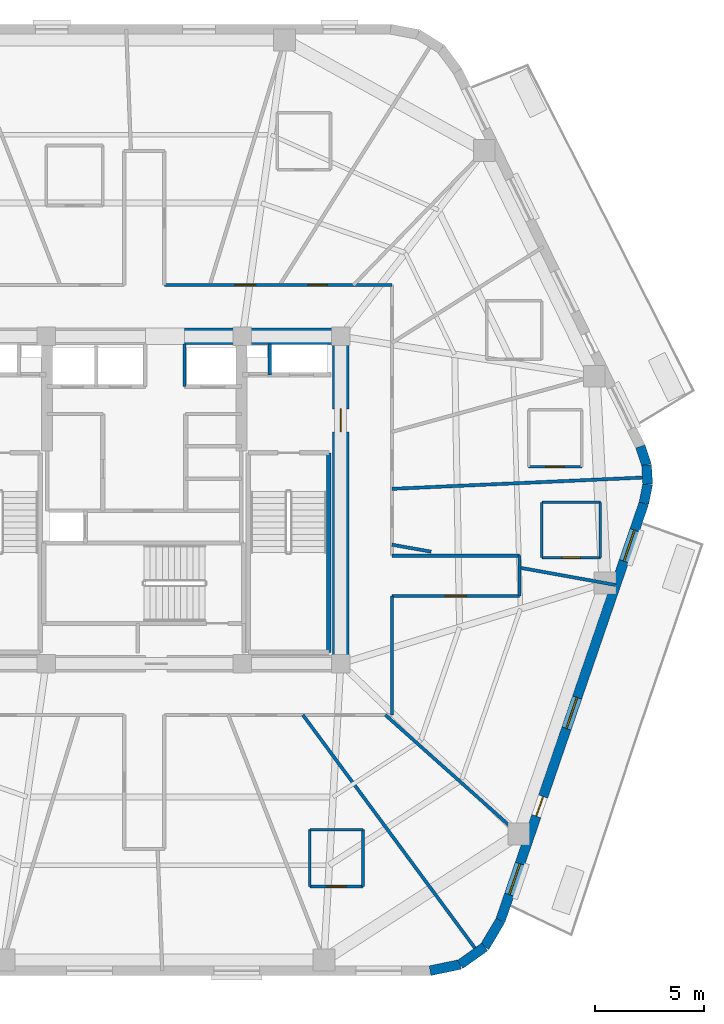
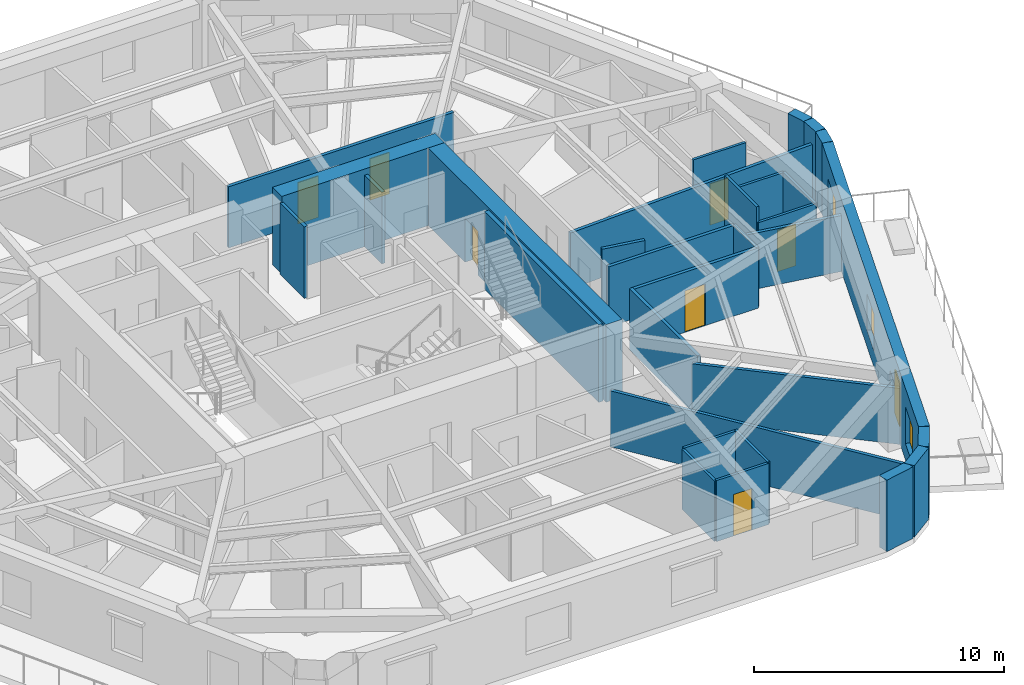
# One storey, part 5 of 10: 31 walls, 8 doors, 3 windows, 11 openings.
"""IFC4 building model written with IfcOpenShell, lengths in metres."""

from ifc_helpers import new_model, si_unit, direction, frame, frame_2d, origin, place, context, subcontext, project, spatial, rectangle, extrude, material, layer, layer_set, type_object, element, fill, save


model = new_model("IFC4")

# Units and contexts
model_context = context("Model", 3, precision=1e-05, world=origin(), true_north=direction((0.0, 1.0)))
body_context = subcontext(model_context, "Body", "Model", "MODEL_VIEW")
ifc_project = project(units=[si_unit("LENGTHUNIT", "METRE"), si_unit("AREAUNIT", "SQUARE_METRE"), si_unit("VOLUMEUNIT", "CUBIC_METRE"), si_unit("PLANEANGLEUNIT", "RADIAN"), si_unit("MASSUNIT", "GRAM", prefix="KILO")], contexts=[model_context])

# Site, building, storey
site_placement = place(None, origin())
site = spatial("IfcSite", under=ifc_project, at=site_placement, CompositionType="ELEMENT")
building_placement = place(site_placement, origin())
building = spatial("IfcBuilding", under=site, at=building_placement, Name="Kilnhurst Terrace Hotel", CompositionType="ELEMENT")
storey_placement = place(building_placement, frame((0.0, 0.0, 206.5)))
storey = spatial("IfcBuildingStorey", under=building, at=storey_placement, Name="L51", CompositionType="ELEMENT", Elevation=206.5)

# Walls
ifc_material_1 = material(Name="Precast concrete C40/50", Category="concrete")
ifc_layer_1 = layer(ifc_material_1, 0.449951171875, Name="Precast concrete C40/50")
ifc_layer_set_1 = layer_set([ifc_layer_1], Name="Precast concrete C40/50")
wall_type_1 = type_object("IfcWallType", Name="WL-BRK-450", PredefinedType="SOLIDWALL", material=ifc_layer_set_1)
wall_1_placement = place(storey_placement, frame((13.1015625, -21.574951171875, 0.0), z_axis=(0.0, 0.0, 1.0), x_axis=(0.978757421505, 0.205021730188, 0.0)))
element("IfcWall", 1, at=wall_1_placement, inside=storey, type_object=wall_type_1, Name="L51 Rounded Corner Brick Wall C2.1", PredefinedType="SOLIDWALL", context=body_context, shape_type="SweptSolid", body=[
    extrude(rectangle(XDim=1.40625, YDim=0.449951171875, at=frame_2d((0.703125, 0.0))), origin(), (0.0, 0.0, 1.0), 3.5),
])
wall_2_placement = place(storey_placement, frame((14.47802734375, -21.28662109375, 0.0), z_axis=(0.0, 0.0, 1.0), x_axis=(0.813888518617, 0.58102106611, 0.0)))
element("IfcWall", 2, at=wall_2_placement, inside=storey, type_object=wall_type_1, Name="L51 Rounded Corner Brick Wall C2.2", PredefinedType="SOLIDWALL", context=body_context, shape_type="SweptSolid", body=[
    extrude(rectangle(XDim=1.3828125, YDim=0.449951171875, at=frame_2d((0.69140625, 0.0))), origin(), (0.0, 0.0, 1.0), 3.5),
])
wall_3_placement = place(storey_placement, frame((15.603515625, -20.483154296875, 0.0), z_axis=(0.0, 0.0, 1.0), x_axis=(0.512222149036, 0.858852996756, 0.0)))
element("IfcWall", 3, at=wall_3_placement, inside=storey, type_object=wall_type_1, Name="L51 Rounded Corner Brick Wall C2.3", PredefinedType="SOLIDWALL", context=body_context, shape_type="SweptSolid", body=[
    extrude(rectangle(XDim=1.406494140625, YDim=0.449951171875, at=frame_2d((0.703125, 0.0))), origin(), (0.0, 0.0, 1.0), 3.5),
])
wall_4_placement = place(storey_placement, frame((22.8984375, -0.149658203125, 0.0), z_axis=(0.0, 0.0, 1.0), x_axis=(0.199055826889, 0.979988151858, 0.0)))
element("IfcWall", 4, at=wall_4_placement, inside=storey, type_object=wall_type_1, Name="L51 Rounded Corner Brick Wall C3.1", PredefinedType="SOLIDWALL", context=body_context, shape_type="SweptSolid", body=[
    extrude(rectangle(XDim=0.89404296875, YDim=0.449951171875, at=frame_2d((0.447021484375, 0.0))), origin(), (0.0, 0.0, 1.0), 3.5),
])
wall_5_placement = place(storey_placement, frame((23.076416015625, 0.7265625, 0.0), z_axis=(0.0, 0.0, 1.0), x_axis=(-0.060805222108, 0.998149650586, 0.0)))
element("IfcWall", 5, at=wall_5_placement, inside=storey, type_object=wall_type_1, Name="L51 Rounded Corner Brick Wall C3.2", PredefinedType="SOLIDWALL", context=body_context, shape_type="SweptSolid", body=[
    extrude(rectangle(XDim=0.87939453125, YDim=0.449951171875, at=frame_2d((0.439697265625, 0.0))), origin(), (0.0, 0.0, 1.0), 3.5),
])
wall_6_placement = place(storey_placement, frame((23.02294921875, 1.604248046875, 0.0), z_axis=(0.0, 0.0, 1.0), x_axis=(-0.316801227695, 0.948491951537, 0.0)))
element("IfcWall", 6, at=wall_6_placement, inside=storey, type_object=wall_type_1, Name="L51 Rounded Corner Brick Wall C3.3", PredefinedType="SOLIDWALL", context=body_context, shape_type="SweptSolid", body=[
    extrude(rectangle(XDim=0.89404296875, YDim=0.449951171875, at=frame_2d((0.447021484375, 0.0))), origin(), (0.0, 0.0, 1.0), 3.5),
])

# Wall, openings, door, windows
wall_7_placement = place(storey_placement, frame((16.323974609375, -19.275146484375, 0.0), z_axis=(0.0, 0.0, 1.0), x_axis=(0.325083142304, 0.945685439557, 0.0)))
wall_7 = element("IfcWall", 7, at=wall_7_placement, inside=storey, type_object=wall_type_1, Name="L51 Exterior Brick Facade Wall F2", PredefinedType="SOLIDWALL", context=body_context, shape_type="SweptSolid", body=[
    extrude(rectangle(XDim=20.223876953125, YDim=0.449951171875, at=frame_2d((10.11181640625, 0.0))), origin(), (0.0, 0.0, 1.0), 3.5),
])
opening_1_placement = place(wall_7_placement, frame((5.06201171875, 0.0, 0.0)))
opening_1 = element("IfcOpeningElement", 8, at=opening_1_placement, cuts=wall_7, Name="Opening BD-950", PredefinedType="OPENING", context=body_context, shape_type="SweptSolid", body=[
    extrude(rectangle(XDim=0.949951171875, YDim=2.14990234375, at=frame_2d((0.47509765625, 1.074951171875))), frame((0.0, 0.23486328125, 0.0), z_axis=(0.0, -1.0, 0.0), x_axis=(1.0, 0.0, 0.0)), (0.0, 0.0, 1.0), 0.469970703125),
])
opening_2_placement = place(wall_7_placement, frame((1.2529296875, 0.0, 0.800048828125)))
opening_2 = element("IfcOpeningElement", 9, at=opening_2_placement, cuts=wall_7, Name="Opening W-02", PredefinedType="OPENING", context=body_context, shape_type="SweptSolid", body=[
    extrude(rectangle(XDim=1.5, YDim=1.800048828125, at=frame_2d((0.75, 0.89990234375))), frame((0.0, 0.23486328125, 0.0), z_axis=(0.0, -1.0, 0.0), x_axis=(1.0, 0.0, 0.0)), (0.0, 0.0, 1.0), 0.469970703125),
])
opening_3_placement = place(wall_7_placement, frame((9.30908203125, 0.0, 0.800048828125)))
opening_3 = element("IfcOpeningElement", 10, at=opening_3_placement, cuts=wall_7, Name="Opening W-02", PredefinedType="OPENING", context=body_context, shape_type="SweptSolid", body=[
    extrude(rectangle(XDim=1.5, YDim=1.800048828125, at=frame_2d((0.75, 0.89990234375))), frame((0.0, 0.23486328125, 0.0), z_axis=(0.0, -1.0, 0.0), x_axis=(1.0, 0.0, 0.0)), (0.0, 0.0, 1.0), 0.469970703125),
])
opening_4_placement = place(wall_7_placement, frame((17.41796875, 0.0, 0.800048828125)))
opening_4 = element("IfcOpeningElement", 11, at=opening_4_placement, cuts=wall_7, Name="Opening W-02", PredefinedType="OPENING", context=body_context, shape_type="SweptSolid", body=[
    extrude(rectangle(XDim=1.5, YDim=1.800048828125, at=frame_2d((0.75, 0.89990234375))), frame((0.0, 0.23486328125, 0.0), z_axis=(0.0, -1.0, 0.0), x_axis=(1.0, 0.0, 0.0)), (0.0, 0.0, 1.0), 0.469970703125),
])
ifc_material_2 = material(Name="Thermally Broken Bronze Aluminium Alloy 6063-T6 and Laminated Glass", Category="aluminium")
door_type_1 = type_object("IfcDoorType", Name="DR-EXT-BAL-950", OperationType="NOTDEFINED", PredefinedType="DOOR", material=ifc_material_2)
door_1_placement = place(opening_1_placement, origin())
door_1 = element("IfcDoor", 12, at=door_1_placement, inside=storey, type_object=door_type_1, Name="L51 Planted Balcony Door BAL-L1A", OperationType="SINGLE_SWING_RIGHT", OverallHeight=2.14990234375, OverallWidth=0.949951171875, PredefinedType="DOOR", context=body_context, shape_type="SweptSolid", body=[
    extrude(rectangle(XDim=0.949951171875, YDim=2.14990234375, at=frame_2d((0.47509765625, 1.074951171875))), frame((0.0, 0.02490234375, 0.0), z_axis=(0.0, -1.0, 0.0), x_axis=(1.0, 0.0, 0.0)), (0.0, 0.0, 1.0), 0.050048828125),
])
fill(opening_1, door_1)
ifc_material_3 = material(Name="Thermally Broken Bronze Aluminium Alloy 6063-T6 and Low-E Glass", Category="aluminium")
window_type = type_object("IfcWindowType", Name="WIN-1500X1800", PartitioningType="SINGLE_PANEL", PredefinedType="WINDOW", material=ifc_material_3)
window_1_placement = place(opening_2_placement, origin())
window_1 = element("IfcWindow", 13, at=window_1_placement, inside=storey, type_object=window_type, Name="L51 Deep-Set Masonry Window F2.1", OverallHeight=1.800048828125, OverallWidth=1.5, PartitioningType="SINGLE_PANEL", PredefinedType="WINDOW", context=body_context, shape_type="SweptSolid", body=[
    extrude(rectangle(XDim=1.5, YDim=1.800048828125, at=frame_2d((0.75, 0.89990234375))), frame((0.0, 0.030029296875, 0.0), z_axis=(0.0, -1.0, 0.0), x_axis=(1.0, 0.0, 0.0)), (0.0, 0.0, 1.0), 0.06005859375),
])
fill(opening_2, window_1)
window_2_placement = place(opening_3_placement, origin())
window_2 = element("IfcWindow", 14, at=window_2_placement, inside=storey, type_object=window_type, Name="L51 Deep-Set Masonry Window F2.2", OverallHeight=1.800048828125, OverallWidth=1.5, PartitioningType="SINGLE_PANEL", PredefinedType="WINDOW", context=body_context, shape_type="SweptSolid", body=[
    extrude(rectangle(XDim=1.5, YDim=1.800048828125, at=frame_2d((0.75, 0.89990234375))), frame((0.0, 0.030029296875, 0.0), z_axis=(0.0, -1.0, 0.0), x_axis=(1.0, 0.0, 0.0)), (0.0, 0.0, 1.0), 0.06005859375),
])
fill(opening_3, window_2)
window_3_placement = place(opening_4_placement, origin())
window_3 = element("IfcWindow", 15, at=window_3_placement, inside=storey, type_object=window_type, Name="L51 Deep-Set Masonry Window F2.3", OverallHeight=1.800048828125, OverallWidth=1.5, PartitioningType="SINGLE_PANEL", PredefinedType="WINDOW", context=body_context, shape_type="SweptSolid", body=[
    extrude(rectangle(XDim=1.5, YDim=1.800048828125, at=frame_2d((0.75, 0.89990234375))), frame((0.0, 0.030029296875, 0.0), z_axis=(0.0, -1.0, 0.0), x_axis=(1.0, 0.0, 0.0)), (0.0, 0.0, 1.0), 0.06005859375),
])
fill(opening_4, window_3)

# Wall, openings, doors
ifc_material_4 = material(Name="Acoustic Double-Gypsum Corridor Partition Assembly")
ifc_layer_2 = layer(ifc_material_4, 0.14990234375, Name="Acoustic Double-Gypsum Corridor Partition Assembly")
ifc_layer_set_2 = layer_set([ifc_layer_2], Name="Acoustic Double-Gypsum Corridor Partition Assembly")
wall_type_2 = type_object("IfcWallType", Name="WL-COR-150", PredefinedType="PARTITIONING", material=ifc_layer_set_2)
wall_8_placement = place(storey_placement, frame((0.919921875, 9.85009765625, 0.0), z_axis=(0.0, 0.0, 1.0), x_axis=(1.0, 0.0, 0.0)))
wall_8 = element("IfcWall", 16, at=wall_8_placement, inside=storey, type_object=wall_type_2, Name="L51 Interior Wall WL-L51-COR-10", PredefinedType="PARTITIONING", context=body_context, shape_type="SweptSolid", body=[
    extrude(rectangle(XDim=10.43017578125, YDim=0.14990234375, at=frame_2d((5.215087890625, 0.0))), origin(), (0.0, 0.0, 1.0), 2.989990234375),
])
opening_5_placement = place(wall_8_placement, frame((6.576904296875, 0.0, 0.0)))
opening_5 = element("IfcOpeningElement", 17, at=opening_5_placement, cuts=wall_8, Name="Opening D-60C", PredefinedType="OPENING", context=body_context, shape_type="SweptSolid", body=[
    extrude(rectangle(XDim=0.89990234375, YDim=2.030029296875, at=frame_2d((0.449951171875, 1.01513671875))), frame((0.0, 0.0849609375, 0.0), z_axis=(0.0, -1.0, 0.0), x_axis=(1.0, 0.0, 0.0)), (0.0, 0.0, 1.0), 0.169921875),
])
opening_6_placement = place(wall_8_placement, frame((3.23388671875, 0.0, 0.0)))
opening_6 = element("IfcOpeningElement", 18, at=opening_6_placement, cuts=wall_8, Name="Opening D-60B", PredefinedType="OPENING", context=body_context, shape_type="SweptSolid", body=[
    extrude(rectangle(XDim=0.949951171875, YDim=2.030029296875, at=frame_2d((0.47509765625, 1.01513671875))), frame((0.0, 0.0849609375, 0.0), z_axis=(0.0, -1.0, 0.0), x_axis=(1.0, 0.0, 0.0)), (0.0, 0.0, 1.0), 0.169921875),
])
ifc_material_5 = material(Name="Painted Solid-Core Service Fire Door")
door_type_2 = type_object("IfcDoorType", Name="DR-FD60-900", OperationType="NOTDEFINED", PredefinedType="DOOR", material=ifc_material_5)
door_2_placement = place(opening_5_placement, origin())
door_2 = element("IfcDoor", 19, at=door_2_placement, inside=storey, type_object=door_type_2, Name="L51 Executive Work Office Door 4", OperationType="SINGLE_SWING_RIGHT", OverallHeight=2.030029296875, OverallWidth=0.89990234375, PredefinedType="DOOR", context=body_context, shape_type="SweptSolid", body=[
    extrude(rectangle(XDim=0.89990234375, YDim=2.030029296875, at=frame_2d((0.449951171875, 1.01513671875))), frame((0.0, 0.02490234375, 0.0), z_axis=(0.0, -1.0, 0.0), x_axis=(1.0, 0.0, 0.0)), (0.0, 0.0, 1.0), 0.050048828125),
])
fill(opening_5, door_2)
ifc_material_6 = material(Name="Acoustic Walnut Veneer Solid-Core Fire Door")
door_type_3 = type_object("IfcDoorType", Name="DR-FD60-950", OperationType="NOTDEFINED", PredefinedType="DOOR", material=ifc_material_6)
door_3_placement = place(opening_6_placement, origin())
door_3 = element("IfcDoor", 20, at=door_3_placement, inside=storey, type_object=door_type_3, Name="L51 Guest Room Entry Door 5", OperationType="SINGLE_SWING_LEFT", OverallHeight=2.030029296875, OverallWidth=0.949951171875, PredefinedType="DOOR", context=body_context, shape_type="SweptSolid", body=[
    extrude(rectangle(XDim=0.949951171875, YDim=2.030029296875, at=frame_2d((0.47509765625, 1.01513671875))), frame((0.0, 0.02490234375, 0.0), z_axis=(0.0, -1.0, 0.0), x_axis=(1.0, 0.0, 0.0)), (0.0, 0.0, 1.0), 0.050048828125),
])
fill(opening_6, door_3)

# Walls
wall_9_placement = place(storey_placement, frame((11.35009765625, -2.550048828125, 0.0), z_axis=(0.0, 0.0, 1.0), x_axis=(1.0, 0.0, 0.0)))
element("IfcWall", 21, at=wall_9_placement, inside=storey, type_object=wall_type_2, Name="L51 Interior Wall WL-L51-COR-12", PredefinedType="PARTITIONING", context=body_context, shape_type="SweptSolid", body=[
    extrude(rectangle(XDim=5.849853515625, YDim=0.14990234375, at=frame_2d((2.9248046875, 0.0))), origin(), (0.0, 0.0, 1.0), 2.9404296875),
])
wall_10_placement = place(storey_placement, frame((17.199951171875, -2.550048828125, 0.0), z_axis=(0.0, 0.0, 1.0), x_axis=(0.0, -1.0, 0.0)))
element("IfcWall", 22, at=wall_10_placement, inside=storey, type_object=wall_type_2, Name="L51 Interior Wall WL-L51-COR-13", PredefinedType="PARTITIONING", context=body_context, shape_type="SweptSolid", body=[
    extrude(rectangle(XDim=1.849853515625, YDim=0.14990234375, at=frame_2d((0.9248046875, 0.0))), origin(), (0.0, 0.0, 1.0), 2.9404296875),
])

# Wall, opening, door
wall_11_placement = place(storey_placement, frame((17.199951171875, -4.39990234375, 0.0), z_axis=(0.0, 0.0, 1.0), x_axis=(-1.0, 0.0, 0.0)))
wall_11 = element("IfcWall", 23, at=wall_11_placement, inside=storey, type_object=wall_type_2, Name="L51 Interior Wall WL-L51-COR-14", PredefinedType="PARTITIONING", context=body_context, shape_type="SweptSolid", body=[
    extrude(rectangle(XDim=5.849853515625, YDim=0.14990234375, at=frame_2d((2.9248046875, 0.0))), origin(), (0.0, 0.0, 1.0), 2.9404296875),
])
opening_7_placement = place(wall_11_placement, frame((2.449951171875, 0.0, 0.0)))
opening_7 = element("IfcOpeningElement", 24, at=opening_7_placement, cuts=wall_11, Name="Opening D-60B", PredefinedType="OPENING", context=body_context, shape_type="SweptSolid", body=[
    extrude(rectangle(XDim=0.949951171875, YDim=2.030029296875, at=frame_2d((0.47509765625, 1.01513671875))), frame((0.0, 0.0849609375, 0.0), z_axis=(0.0, -1.0, 0.0), x_axis=(1.0, 0.0, 0.0)), (0.0, 0.0, 1.0), 0.169921875),
])
door_4_placement = place(opening_7_placement, origin())
door_4 = element("IfcDoor", 25, at=door_4_placement, inside=storey, type_object=door_type_3, Name="L51 Private Dining Salon Door", OperationType="SINGLE_SWING_LEFT", OverallHeight=2.030029296875, OverallWidth=0.949951171875, PredefinedType="DOOR", context=body_context, shape_type="SweptSolid", body=[
    extrude(rectangle(XDim=0.949951171875, YDim=2.030029296875, at=frame_2d((0.47509765625, 1.01513671875))), frame((0.0, 0.02490234375, 0.0), z_axis=(0.0, -1.0, 0.0), x_axis=(1.0, 0.0, 0.0)), (0.0, 0.0, 1.0), 0.050048828125),
])
fill(opening_7, door_4)

# Walls
wall_12_placement = place(storey_placement, frame((11.35009765625, -4.39990234375, 0.0), z_axis=(0.0, 0.0, 1.0), x_axis=(0.0, -1.0, 0.0)))
element("IfcWall", 26, at=wall_12_placement, inside=storey, type_object=wall_type_2, Name="L51 Interior Wall WL-L51-COR-15", PredefinedType="PARTITIONING", context=body_context, shape_type="SweptSolid", body=[
    extrude(rectangle(XDim=5.4501953125, YDim=0.14990234375, at=frame_2d((2.72509765625, 0.0))), origin(), (0.0, 0.0, 1.0), 2.989990234375),
])
ifc_material_7 = material(Name="Concrete C60/75", Category="concrete")
ifc_layer_3 = layer(ifc_material_7, 0.75, Name="Concrete C60/75")
ifc_layer_set_3 = layer_set([ifc_layer_3], Name="Concrete C60/75")
wall_type_3 = type_object("IfcWallType", Name="WL-CORE-750", PredefinedType="SHEAR", material=ifc_layer_set_3)
wall_13_placement = place(storey_placement, frame((1.85009765625, 7.5, 0.0), z_axis=(0.0, 0.0, 1.0), x_axis=(1.0, 0.0, 0.0)))
element("IfcWall", 27, at=wall_13_placement, inside=storey, type_object=wall_type_3, Name="L51 Core North East Shear Wall", PredefinedType="SHEAR", context=body_context, shape_type="SweptSolid", body=[
    extrude(rectangle(XDim=7.52490234375, YDim=0.75, at=frame_2d((3.762451171875, 0.0))), origin(), (0.0, 0.0, 1.0), 3.800048828125),
])

# Wall, opening, door
wall_14_placement = place(storey_placement, frame((9.0, -7.125, 0.0), z_axis=(0.0, 0.0, 1.0), x_axis=(0.0, 1.0, 0.0)))
wall_14 = element("IfcWall", 28, at=wall_14_placement, inside=storey, type_object=wall_type_3, Name="L51 Core East Shear Wall", PredefinedType="SHEAR", context=body_context, shape_type="SweptSolid", body=[
    extrude(rectangle(XDim=14.25, YDim=0.75, at=frame_2d((7.125, 0.0))), origin(), (0.0, 0.0, 1.0), 3.800048828125),
])
opening_8_placement = place(wall_14_placement, frame((10.25, 0.0, 0.0)))
opening_8 = element("IfcOpeningElement", 29, at=opening_8_placement, cuts=wall_14, Name="Opening D-90A", PredefinedType="OPENING", context=body_context, shape_type="SweptSolid", body=[
    extrude(rectangle(XDim=1.050048828125, YDim=2.14990234375, at=frame_2d((0.52490234375, 1.074951171875))), frame((0.0, 0.385009765625, 0.0), z_axis=(0.0, -1.0, 0.0), x_axis=(1.0, 0.0, 0.0)), (0.0, 0.0, 1.0), 0.77001953125),
])
ifc_material_8 = material(Name="Painted Hollow Metal Steel ASTM A36 Fire Door", Category="steel")
door_type_4 = type_object("IfcDoorType", Name="DR-FD90-1050", OperationType="NOTDEFINED", PredefinedType="DOOR", material=ifc_material_8)
door_5_placement = place(opening_8_placement, origin())
door_5 = element("IfcDoor", 30, at=door_5_placement, inside=storey, type_object=door_type_4, Name="L51 East Firefighting Lobby Door", OperationType="SINGLE_SWING_LEFT", OverallHeight=2.14990234375, OverallWidth=1.050048828125, PredefinedType="DOOR", context=body_context, shape_type="SweptSolid", body=[
    extrude(rectangle(XDim=1.050048828125, YDim=2.14990234375, at=frame_2d((0.52490234375, 1.074951171875))), frame((0.0, 0.02490234375, 0.0), z_axis=(0.0, -1.0, 0.0), x_axis=(1.0, 0.0, 0.0)), (0.0, 0.0, 1.0), 0.050048828125),
])
fill(opening_8, door_5)

# Walls
ifc_material_9 = material(Name="STC-58 Acoustic Twin-Frame Guestroom Demising Partition")
ifc_layer_4 = layer(ifc_material_9, 0.14990234375, Name="STC-58 Acoustic Twin-Frame Guestroom Demising Partition")
ifc_layer_set_4 = layer_set([ifc_layer_4], Name="STC-58 Acoustic Twin-Frame Guestroom Demising Partition")
wall_type_4 = type_object("IfcWallType", Name="WL-DEM-150", PredefinedType="PARTITIONING", material=ifc_layer_set_4)
wall_15_placement = place(storey_placement, frame((11.35009765625, 0.510986328125, 0.0), z_axis=(0.0, 0.0, 1.0), x_axis=(0.998988518139, 0.044965994104, 0.0)))
element("IfcWall", 31, at=wall_15_placement, inside=storey, type_object=wall_type_4, Name="L51 Interior Wall WL-L51-DEM-MID12-01-1", PredefinedType="PARTITIONING", context=body_context, shape_type="SweptSolid", body=[
    extrude(rectangle(XDim=11.559326171875, YDim=0.14990234375, at=frame_2d((5.77978515625, 0.0))), origin(), (0.0, 0.0, 1.0), 2.739990234375),
])
wall_16_placement = place(storey_placement, frame((7.269287109375, -9.85009765625, 0.0), z_axis=(0.0, 0.0, 1.0), x_axis=(0.593814492791, -0.8046019812, 0.0)))
element("IfcWall", 32, at=wall_16_placement, inside=storey, type_object=wall_type_4, Name="L51 Interior Wall WL-L51-DEM-MID10-18-1", PredefinedType="PARTITIONING", context=body_context, shape_type="SweptSolid", body=[
    extrude(rectangle(XDim=13.338134765625, YDim=0.14990234375, at=frame_2d((6.6689453125, 0.0))), origin(), (0.0, 0.0, 1.0), 2.739990234375),
])
wall_17_placement = place(storey_placement, frame((11.04833984375, -9.85009765625, 0.0), z_axis=(0.0, 0.0, 1.0), x_axis=(0.746444434655, -0.665447748492, 0.0)))
element("IfcWall", 33, at=wall_17_placement, inside=storey, type_object=wall_type_4, Name="L51 Interior Wall WL-L51-DEM-COL11-19-1", PredefinedType="PARTITIONING", context=body_context, shape_type="SweptSolid", body=[
    extrude(rectangle(XDim=8.732177734375, YDim=0.14990234375, at=frame_2d((4.3662109375, 0.0))), origin(), (0.0, 0.0, 1.0), 2.739990234375),
])
wall_18_placement = place(storey_placement, frame((11.35009765625, -2.046142578125, 0.0), z_axis=(0.0, 0.0, 1.0), x_axis=(0.984127783205, -0.177461281195, 0.0)))
element("IfcWall", 34, at=wall_18_placement, inside=storey, type_object=wall_type_4, Name="L51 Interior Wall WL-L51-DEM-COL12-20-1", PredefinedType="PARTITIONING", context=body_context, shape_type="SweptSolid", body=[
    extrude(rectangle(XDim=1.82568359375, YDim=0.14990234375, at=frame_2d((0.912841796875, 0.0))), origin(), (0.0, 0.0, 1.0), 3.5),
])
wall_19_placement = place(storey_placement, frame((17.199951171875, -3.1005859375, 0.0), z_axis=(0.0, 0.0, 1.0), x_axis=(0.98413465883, -0.177423147559, 0.0)))
element("IfcWall", 35, at=wall_19_placement, inside=storey, type_object=wall_type_4, Name="L51 Interior Wall WL-L51-DEM-COL12-20-2", PredefinedType="PARTITIONING", context=body_context, shape_type="SweptSolid", body=[
    extrude(rectangle(XDim=4.481689453125, YDim=0.14990234375, at=frame_2d((2.24072265625, 0.0))), origin(), (0.0, 0.0, 1.0), 2.739990234375),
])

# Wall, opening, door
ifc_material_10 = material(Name="120 mm Moisture-Resistant Tile-Backed Bathroom Partition")
ifc_layer_5 = layer(ifc_material_10, 0.1201171875, Name="120 mm Moisture-Resistant Tile-Backed Bathroom Partition")
ifc_layer_set_5 = layer_set([ifc_layer_5], Name="120 mm Moisture-Resistant Tile-Backed Bathroom Partition")
wall_type_5 = type_object("IfcWallType", Name="WL-PART-120", PredefinedType="PARTITIONING", material=ifc_layer_set_5)
wall_20_placement = place(storey_placement, frame((17.615966796875, 1.52001953125, 0.0), z_axis=(0.0, 0.0, 1.0), x_axis=(1.0, 0.0, 0.0)))
wall_20 = element("IfcWall", 36, at=wall_20_placement, inside=storey, type_object=wall_type_5, Name="L51 Interior Wall WL-L51-BTH-01-1", PredefinedType="PARTITIONING", context=body_context, shape_type="SweptSolid", body=[
    extrude(rectangle(XDim=2.43994140625, YDim=0.1201171875, at=frame_2d((1.219970703125, 0.0))), origin(), (0.0, 0.0, 1.0), 3.5),
])
opening_9_placement = place(wall_20_placement, frame((0.794921875, 0.0, 0.0)))
opening_9 = element("IfcOpeningElement", 37, at=opening_9_placement, cuts=wall_20, Name="Opening D-08A", PredefinedType="OPENING", context=body_context, shape_type="SweptSolid", body=[
    extrude(rectangle(XDim=0.85009765625, YDim=2.030029296875, at=frame_2d((0.425048828125, 1.01513671875))), frame((0.0, 0.070068359375, 0.0), z_axis=(0.0, -1.0, 0.0), x_axis=(1.0, 0.0, 0.0)), (0.0, 0.0, 1.0), 0.14013671875),
])
ifc_material_11 = material(Name="Moisture-Resistant Lacquered En-suite Bathroom Door")
door_type_5 = type_object("IfcDoorType", Name="DR-INT-850", OperationType="NOTDEFINED", PredefinedType="DOOR", material=ifc_material_11)
door_6_placement = place(opening_9_placement, origin())
door_6 = element("IfcDoor", 38, at=door_6_placement, inside=storey, type_object=door_type_5, Name="L51 En-suite Bathroom Door 1", OperationType="SINGLE_SWING_RIGHT", OverallHeight=2.030029296875, OverallWidth=0.85009765625, PredefinedType="DOOR", context=body_context, shape_type="SweptSolid", body=[
    extrude(rectangle(XDim=0.85009765625, YDim=2.030029296875, at=frame_2d((0.425048828125, 1.01513671875))), frame((0.0, 0.02490234375, 0.0), z_axis=(0.0, -1.0, 0.0), x_axis=(1.0, 0.0, 0.0)), (0.0, 0.0, 1.0), 0.050048828125),
])
fill(opening_9, door_6)

wall_21_placement = place(storey_placement, frame((7.5859375, -17.715087890625, 0.0), z_axis=(0.0, 0.0, 1.0), x_axis=(1.0, 0.0, 0.0)))
wall_21 = element("IfcWall", 39, at=wall_21_placement, inside=storey, type_object=wall_type_5, Name="L51 Interior Wall WL-L51-BTH-17-1", PredefinedType="PARTITIONING", context=body_context, shape_type="SweptSolid", body=[
    extrude(rectangle(XDim=2.43994140625, YDim=0.1201171875, at=frame_2d((1.219970703125, 0.0))), origin(), (0.0, 0.0, 1.0), 2.989990234375),
])
opening_10_placement = place(wall_21_placement, frame((0.794921875, 0.0, 0.0)))
opening_10 = element("IfcOpeningElement", 40, at=opening_10_placement, cuts=wall_21, Name="Opening D-08A", PredefinedType="OPENING", context=body_context, shape_type="SweptSolid", body=[
    extrude(rectangle(XDim=0.85009765625, YDim=2.030029296875, at=frame_2d((0.425048828125, 1.01513671875))), frame((0.0, 0.070068359375, 0.0), z_axis=(0.0, -1.0, 0.0), x_axis=(1.0, 0.0, 0.0)), (0.0, 0.0, 1.0), 0.14013671875),
])
door_7_placement = place(opening_10_placement, origin())
door_7 = element("IfcDoor", 41, at=door_7_placement, inside=storey, type_object=door_type_5, Name="L51 En-suite Bathroom Door 17", OperationType="SINGLE_SWING_RIGHT", OverallHeight=2.030029296875, OverallWidth=0.85009765625, PredefinedType="DOOR", context=body_context, shape_type="SweptSolid", body=[
    extrude(rectangle(XDim=0.85009765625, YDim=2.030029296875, at=frame_2d((0.425048828125, 1.01513671875))), frame((0.0, 0.02490234375, 0.0), z_axis=(0.0, -1.0, 0.0), x_axis=(1.0, 0.0, 0.0)), (0.0, 0.0, 1.0), 0.050048828125),
])
fill(opening_10, door_7)

# Walls
wall_22_placement = place(storey_placement, frame((10.02587890625, -17.715087890625, 0.0), z_axis=(0.0, 0.0, 1.0), x_axis=(0.0, 1.0, 0.0)))
element("IfcWall", 42, at=wall_22_placement, inside=storey, type_object=wall_type_5, Name="L51 Interior Wall WL-L51-BTH-17-2", PredefinedType="PARTITIONING", context=body_context, shape_type="SweptSolid", body=[
    extrude(rectangle(XDim=2.610107421875, YDim=0.1201171875, at=frame_2d((1.30517578125, 0.0))), origin(), (0.0, 0.0, 1.0), 3.026611328125),
])
wall_23_placement = place(storey_placement, frame((10.02587890625, -15.10498046875, 0.0), z_axis=(0.0, 0.0, 1.0), x_axis=(-1.0, 0.0, 0.0)))
element("IfcWall", 43, at=wall_23_placement, inside=storey, type_object=wall_type_5, Name="L51 Interior Wall WL-L51-BTH-17-3", PredefinedType="PARTITIONING", context=body_context, shape_type="SweptSolid", body=[
    extrude(rectangle(XDim=2.43994140625, YDim=0.1201171875, at=frame_2d((1.219970703125, 0.0))), origin(), (0.0, 0.0, 1.0), 2.989990234375),
])
wall_24_placement = place(storey_placement, frame((7.5859375, -15.10498046875, 0.0), z_axis=(0.0, 0.0, 1.0), x_axis=(0.0, -1.0, 0.0)))
element("IfcWall", 44, at=wall_24_placement, inside=storey, type_object=wall_type_5, Name="L51 Interior Wall WL-L51-BTH-17-4", PredefinedType="PARTITIONING", context=body_context, shape_type="SweptSolid", body=[
    extrude(rectangle(XDim=2.610107421875, YDim=0.1201171875, at=frame_2d((1.30517578125, 0.0))), origin(), (0.0, 0.0, 1.0), 2.9404296875),
])

# Wall, opening, door
wall_25_placement = place(storey_placement, frame((18.220947265625, -2.64599609375, 0.0), z_axis=(0.0, 0.0, 1.0), x_axis=(1.0, 0.0, 0.0)))
wall_25 = element("IfcWall", 45, at=wall_25_placement, inside=storey, type_object=wall_type_5, Name="L51 Interior Wall WL-L51-BTH-20-1", PredefinedType="PARTITIONING", context=body_context, shape_type="SweptSolid", body=[
    extrude(rectangle(XDim=2.679931640625, YDim=0.1201171875, at=frame_2d((1.33984375, 0.0))), origin(), (0.0, 0.0, 1.0), 2.739990234375),
])
opening_11_placement = place(wall_25_placement, frame((0.9150390625, 0.0, 0.0)))
opening_11 = element("IfcOpeningElement", 46, at=opening_11_placement, cuts=wall_25, Name="Opening D-08A", PredefinedType="OPENING", context=body_context, shape_type="SweptSolid", body=[
    extrude(rectangle(XDim=0.85009765625, YDim=2.030029296875, at=frame_2d((0.425048828125, 1.01513671875))), frame((0.0, 0.070068359375, 0.0), z_axis=(0.0, -1.0, 0.0), x_axis=(1.0, 0.0, 0.0)), (0.0, 0.0, 1.0), 0.14013671875),
])
door_8_placement = place(opening_11_placement, origin())
door_8 = element("IfcDoor", 47, at=door_8_placement, inside=storey, type_object=door_type_5, Name="L51 En-suite Bathroom Door 20", OperationType="SINGLE_SWING_LEFT", OverallHeight=2.030029296875, OverallWidth=0.85009765625, PredefinedType="DOOR", context=body_context, shape_type="SweptSolid", body=[
    extrude(rectangle(XDim=0.85009765625, YDim=2.030029296875, at=frame_2d((0.425048828125, 1.01513671875))), frame((0.0, 0.02490234375, 0.0), z_axis=(0.0, -1.0, 0.0), x_axis=(1.0, 0.0, 0.0)), (0.0, 0.0, 1.0), 0.050048828125),
])
fill(opening_11, door_8)

# Walls
wall_26_placement = place(storey_placement, frame((20.90087890625, -2.64599609375, 0.0), z_axis=(0.0, 0.0, 1.0), x_axis=(0.0, 1.0, 0.0)))
element("IfcWall", 48, at=wall_26_placement, inside=storey, type_object=wall_type_5, Name="L51 Interior Wall WL-L51-BTH-20-2", PredefinedType="PARTITIONING", context=body_context, shape_type="SweptSolid", body=[
    extrude(rectangle(XDim=2.5400390625, YDim=0.1201171875, at=frame_2d((1.27001953125, 0.0))), origin(), (0.0, 0.0, 1.0), 2.739990234375),
])
wall_27_placement = place(storey_placement, frame((20.90087890625, -0.10595703125, 0.0), z_axis=(0.0, 0.0, 1.0), x_axis=(-1.0, 0.0, 0.0)))
element("IfcWall", 49, at=wall_27_placement, inside=storey, type_object=wall_type_5, Name="L51 Interior Wall WL-L51-BTH-20-3", PredefinedType="PARTITIONING", context=body_context, shape_type="SweptSolid", body=[
    extrude(rectangle(XDim=2.679931640625, YDim=0.1201171875, at=frame_2d((1.33984375, 0.0))), origin(), (0.0, 0.0, 1.0), 2.739990234375),
])
wall_28_placement = place(storey_placement, frame((18.220947265625, -0.10595703125, 0.0), z_axis=(0.0, 0.0, 1.0), x_axis=(0.0, -1.0, 0.0)))
element("IfcWall", 50, at=wall_28_placement, inside=storey, type_object=wall_type_5, Name="L51 Interior Wall WL-L51-BTH-20-4", PredefinedType="PARTITIONING", context=body_context, shape_type="SweptSolid", body=[
    extrude(rectangle(XDim=2.5400390625, YDim=0.1201171875, at=frame_2d((1.27001953125, 0.0))), origin(), (0.0, 0.0, 1.0), 3.5),
])
ifc_material_12 = material(Name="Fire-Rated Gypsum Shaftliner Assembly")
ifc_layer_6 = layer(ifc_material_12, 0.14990234375, Name="Fire-Rated Gypsum Shaftliner Assembly")
ifc_layer_set_6 = layer_set([ifc_layer_6], Name="Fire-Rated Gypsum Shaftliner Assembly")
wall_type_6 = type_object("IfcWallType", Name="WL-SHAFT-150", PredefinedType="PARTITIONING", material=ifc_layer_set_6)
wall_29_placement = place(storey_placement, frame((5.75, 5.739990234375, 0.0), z_axis=(0.0, 0.0, 1.0), x_axis=(0.0, 1.0, 0.0)))
element("IfcWall", 51, at=wall_29_placement, inside=storey, type_object=wall_type_6, Name="L51 Interior Wall WL-L51-RIS2-DIV", PredefinedType="PARTITIONING", context=body_context, shape_type="SweptSolid", body=[
    extrude(rectangle(XDim=1.409912109375, YDim=0.14990234375, at=frame_2d((0.705078125, 0.0))), origin(), (0.0, 0.0, 1.0), 3.5),
])
wall_30_placement = place(storey_placement, frame((1.85009765625, 5.199951171875, 0.0), z_axis=(0.0, 0.0, 1.0), x_axis=(0.0, 1.0, 0.0)))
element("IfcWall", 52, at=wall_30_placement, inside=storey, type_object=wall_type_6, Name="L51 Interior Wall WL-L51-HR-PORTAL-E", PredefinedType="PARTITIONING", context=body_context, shape_type="SweptSolid", body=[
    extrude(rectangle(XDim=1.949951171875, YDim=0.14990234375, at=frame_2d((0.97509765625, 0.0))), origin(), (0.0, 0.0, 1.0), 3.5),
])
ifc_material_13 = material(Name="Concrete C50/60", Category="concrete")
ifc_layer_7 = layer(ifc_material_13, 0.199951171875, Name="Concrete C50/60")
ifc_layer_set_7 = layer_set([ifc_layer_7], Name="Concrete C50/60")
wall_type_7 = type_object("IfcWallType", Name="WL-STAIR-RC-200", PredefinedType="SHEAR", material=ifc_layer_set_7)
wall_31_placement = place(storey_placement, frame((8.4580078125, -6.985107421875, 0.0), z_axis=(0.0, 0.0, 1.0), x_axis=(0.0, 1.0, 0.0)))
element("IfcWall", 53, at=wall_31_placement, inside=storey, type_object=wall_type_7, Name="L51 Structural Stair Shaft Wall WL-L51-ST2-E", PredefinedType="SHEAR", context=body_context, shape_type="SweptSolid", body=[
    extrude(rectangle(XDim=9.14306640625, YDim=0.199951171875, at=frame_2d((4.571533203125, 0.0))), origin(), (0.0, 0.0, 1.0), 3.800048828125),
])

save(model, "model.ifc")
